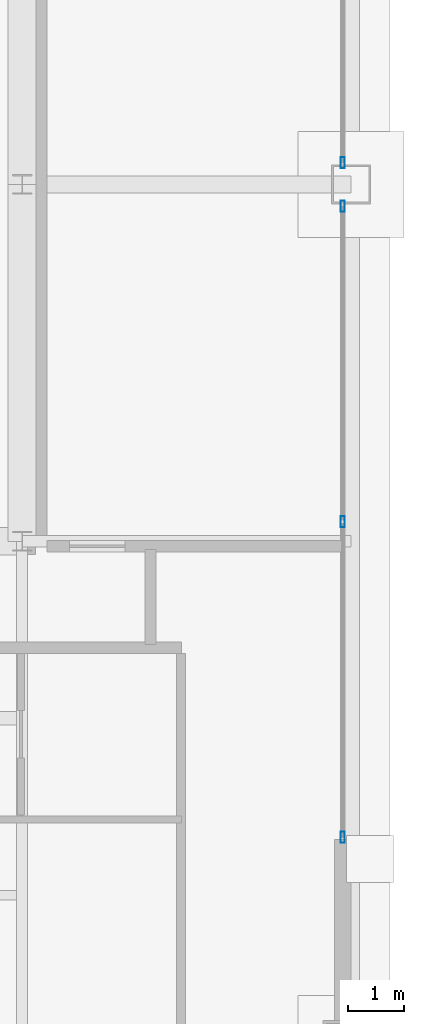
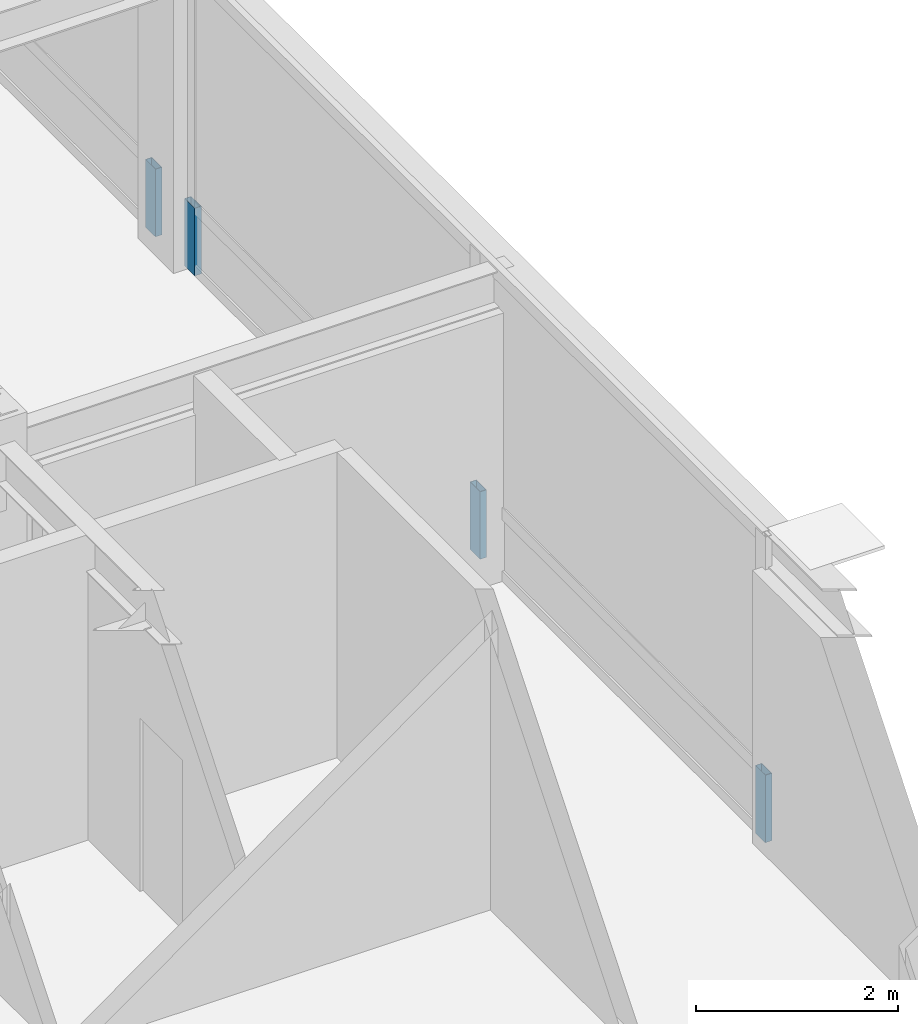
# One storey, part 25 of 34: 4 members, 2 elements without a shape of their own.
"""IFC4 building model written with IfcOpenShell, lengths in metres."""

from ifc_helpers import new_model, si_unit, direction, frame, origin, origin_2d, place, context, subcontext, project, spatial, hollow_rectangle, extrude, source, transform, mapped, material, layer, layer_set, material_profile, profile_set, type_object, element, aggregate, save


model = new_model("IFC4")

# Units and contexts
model_context = context("Model", 3, precision=1e-05, world=origin(), true_north=direction((0.0, 1.0)))
body_context = subcontext(model_context, "Body", "Model", "MODEL_VIEW")
ifc_project = project(units=[si_unit("LENGTHUNIT", "METRE"), si_unit("AREAUNIT", "SQUARE_METRE"), si_unit("VOLUMEUNIT", "CUBIC_METRE"), si_unit("PLANEANGLEUNIT", "RADIAN"), si_unit("MASSUNIT", "GRAM", prefix="KILO"), si_unit("THERMODYNAMICTEMPERATUREUNIT", "KELVIN"), si_unit("POWERUNIT", "WATT")], contexts=[model_context])

# Site, building, storey
site_placement = place(None, origin())
site = spatial("IfcSite", under=ifc_project, at=site_placement, CompositionType="ELEMENT")
building_placement = place(site_placement, origin())
building = spatial("IfcBuilding", under=site, at=building_placement, Name="Yuzanri Waterfront Tower", CompositionType="ELEMENT")
storey_placement = place(building_placement, frame((0.0, 0.0, 347.199951171875)))
storey = spatial("IfcBuildingStorey", under=building, at=storey_placement, Name="L93", CompositionType="ELEMENT", Elevation=347.199951171875)

# Curtain wall, members
ifc_material_1 = material(Name="Anodized Architectural Bronze", Category="metal")
ifc_layer = layer(ifc_material_1, 0.159912109375)
ifc_layer_set = layer_set([ifc_layer], Name="Anodized Architectural Bronze")
curtain_wall_type = type_object("IfcCurtainWallType", Name="Anodized Bronze High-Rise Penthouse High-Wind Unitized Curtain Wall 6900", PredefinedType="NOTDEFINED", material=ifc_layer_set)
curtain_wall_1_placement = place(storey_placement, origin())
curtain_wall_1 = element("IfcCurtainWall", 1, at=curtain_wall_1_placement, inside=storey, type_object=curtain_wall_type, Name="L93 Curtain Wall CW-L93-EL", PredefinedType="NOTDEFINED")
ifc_material_2 = material(Name="Anodized Architectural Bronze", Category="metal")
ifc_material_profile = material_profile(ifc_material_2, hollow_rectangle(XDim=0.074951171875, YDim=0.199951171875, WallThickness=0.00390625, at=origin_2d()), Name="CWM 75x200")
ifc_profile_set = profile_set([ifc_material_profile], Name="Anodized Architectural Bronze")
member_type = type_object("IfcMemberType", Name="Anodized Bronze Primary Curtain-Wall Mullion 75x200", PredefinedType="MULLION", material=ifc_profile_set)
shared_shape = source(origin(), body_context, "Body", "SweptSolid", [
    extrude(hollow_rectangle(XDim=0.074951171875, YDim=0.199951171875, WallThickness=0.00390625, at=origin_2d()), origin(), (0.0, 0.0, 1.0), 0.818115234375),
])
member_1_placement = place(storey_placement, frame((55.949951171875, 14.090087890625, 0.0), z_axis=(0.0, 0.0, 1.0), x_axis=(1.0, 0.0, 0.0)))
member_1 = element("IfcMember", 2, at=member_1_placement, type_object=member_type, Name="CW-L93-EL Lower Mullion 00", PredefinedType="MULLION", context=body_context, shape_type="MappedRepresentation", body=[
    mapped(shared_shape, transform((0.0, 0.0, 0.0), scale=1.0)),
])
member_2_placement = place(storey_placement, frame((55.949951171875, 19.75, 0.0), z_axis=(0.0, 0.0, 1.0), x_axis=(1.0, 0.0, 0.0)))
member_2 = element("IfcMember", 3, at=member_2_placement, type_object=member_type, Name="CW-L93-EL Lower Mullion 01", PredefinedType="MULLION", context=body_context, shape_type="MappedRepresentation", body=[
    mapped(shared_shape, transform((0.0, 0.0, 0.0), scale=1.0)),
])
member_3_placement = place(storey_placement, frame((55.949951171875, 25.409912109375, 0.0), z_axis=(0.0, 0.0, 1.0), x_axis=(1.0, 0.0, 0.0)))
member_3 = element("IfcMember", 4, at=member_3_placement, type_object=member_type, Name="CW-L93-EL Lower Mullion 02", PredefinedType="MULLION", context=body_context, shape_type="MappedRepresentation", body=[
    mapped(shared_shape, transform((0.0, 0.0, 0.0), scale=1.0)),
])
aggregate(curtain_wall_1, [member_1, member_2, member_3])

# Curtain wall, member
curtain_wall_2_placement = place(storey_placement, origin())
curtain_wall_2 = element("IfcCurtainWall", 5, at=curtain_wall_2_placement, inside=storey, type_object=curtain_wall_type, Name="L93 Curtain Wall CW-L93-ER", PredefinedType="NOTDEFINED")
member_4_placement = place(storey_placement, frame((55.949951171875, 26.18994140625, 0.0), z_axis=(0.0, 0.0, 1.0), x_axis=(1.0, 0.0, 0.0)))
member_4 = element("IfcMember", 6, at=member_4_placement, type_object=member_type, Name="CW-L93-ER Lower Mullion 00", PredefinedType="MULLION", context=body_context, shape_type="MappedRepresentation", body=[
    mapped(shared_shape, transform((0.0, 0.0, 0.0), scale=1.0)),
])
aggregate(curtain_wall_2, [member_4])

save(model, "model.ifc")
